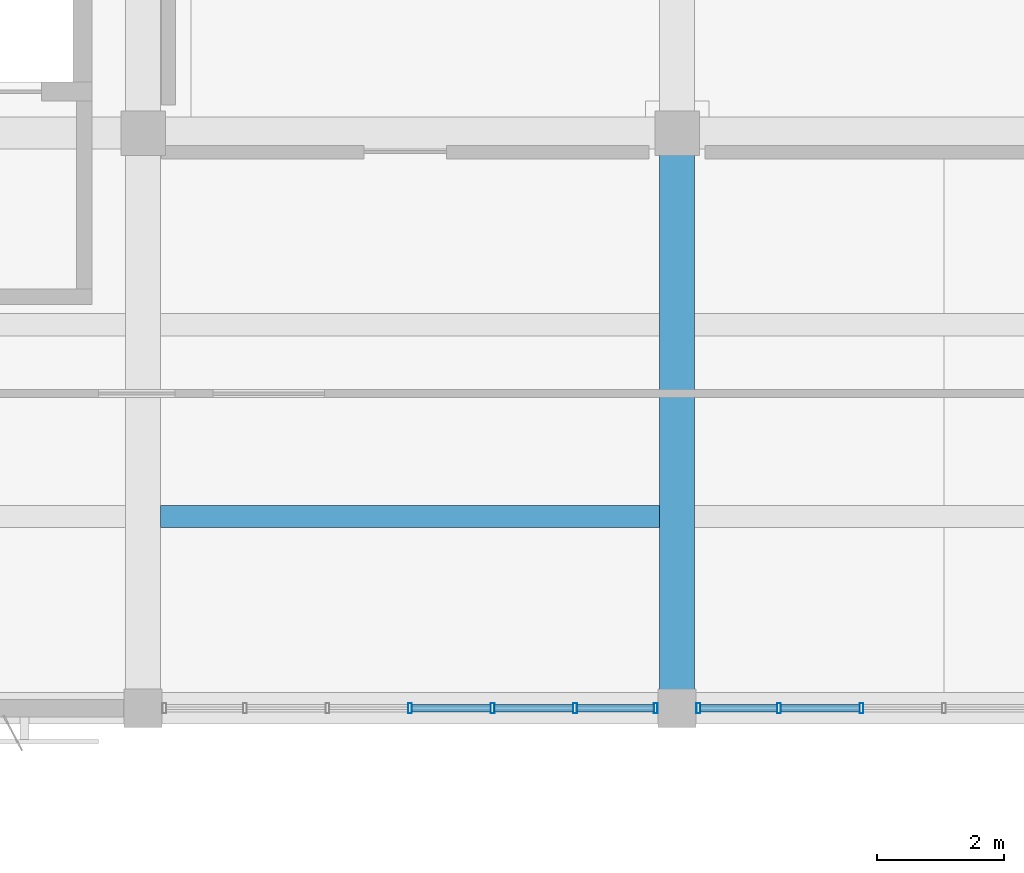
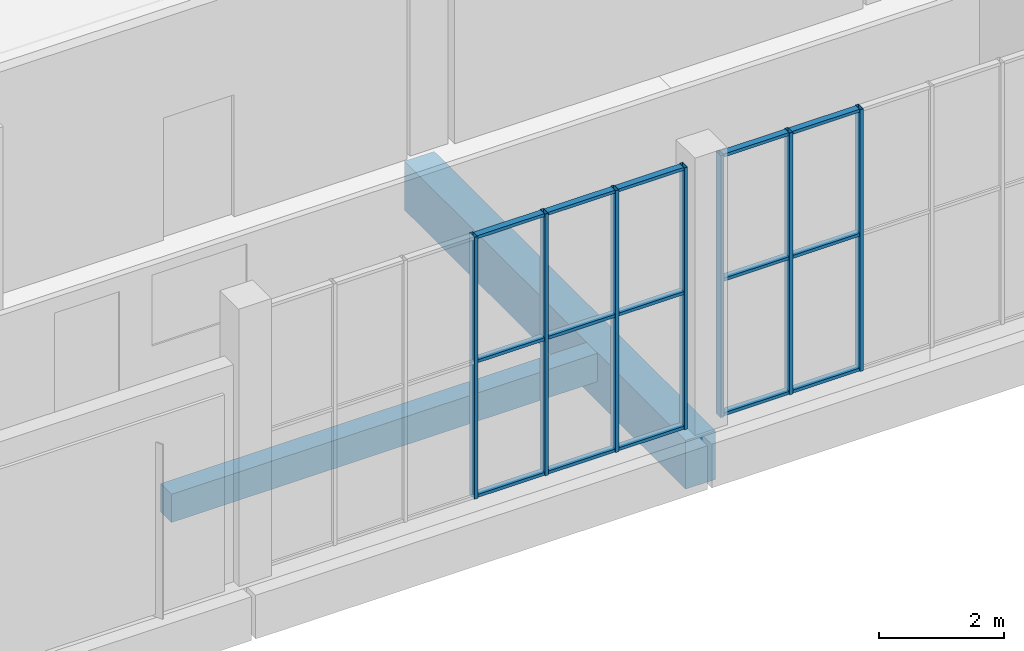
# One storey, part 72 of 132: 22 members, 2 beams, 2 elements without a shape of their own.
"""IFC4 building model written with IfcOpenShell, lengths in metres."""

from ifc_helpers import new_model, si_unit, direction, frame, origin, origin_2d, place, context, subcontext, project, spatial, rectangle, hollow_rectangle, extrude, material, material_profile, profile_set, type_object, element, aggregate, save


model = new_model("IFC4")

# Units and contexts
model_context = context("Model", 3, precision=1e-05, world=origin(), true_north=direction((0.0, 1.0)))
body_context = subcontext(model_context, "Body", "Model", "MODEL_VIEW")
ifc_project = project(units=[si_unit("LENGTHUNIT", "METRE"), si_unit("AREAUNIT", "SQUARE_METRE"), si_unit("VOLUMEUNIT", "CUBIC_METRE"), si_unit("PLANEANGLEUNIT", "RADIAN"), si_unit("MASSUNIT", "GRAM", prefix="KILO")], contexts=[model_context])

# Site, building, storey
site_placement = place(None, origin())
site = spatial("IfcSite", under=ifc_project, at=site_placement, CompositionType="ELEMENT")
building_placement = place(site_placement, origin())
building = spatial("IfcBuilding", under=site, at=building_placement, Name="Khurvash Pelagic Aquarium", CompositionType="ELEMENT")
storey_placement = place(building_placement, frame((0.0, 0.0, 5.39990234375)))
storey = spatial("IfcBuildingStorey", under=building, at=storey_placement, Name="L01", CompositionType="ELEMENT", Elevation=5.39990234375)

# Beam
ifc_material_1 = material(Name="Concrete C40/50", Category="concrete")
ifc_material_profile_1 = material_profile(ifc_material_1, rectangle(XDim=0.550048828125, YDim=0.949951171875, at=origin_2d()), Name="RC550X950")
ifc_profile_set_1 = profile_set([ifc_material_profile_1], Name="Concrete C40/50")
beam_type_1 = type_object("IfcBeamType", Name="BM-02", PredefinedType="BEAM", material=ifc_profile_set_1)
beam_1_placement = place(storey_placement, frame((84.0, 84.090087890625, -0.784912109375), z_axis=(0.0, 1.0, 0.0), x_axis=(-1.0, 0.0, 0.0)))
element("IfcBeam", 1, at=beam_1_placement, inside=storey, type_object=beam_type_1, Name="L01 Primary Girder BM-02 00405", PredefinedType="BEAM", context=body_context, shape_type="SweptSolid", body=[
    extrude(rectangle(XDim=0.550048828125, YDim=0.949951171875, at=origin_2d()), origin(), (0.0, 0.0, 1.0), 8.969970703125),
])

# Curtain wall, members
ifc_material_2 = material(Name="Anodised aluminium and low-E laminated glass", Category="aluminium")
curtain_wall_type = type_object("IfcCurtainWallType", Name="CW-05", PredefinedType="USERDEFINED", material=ifc_material_2)
curtain_wall_1_placement = place(storey_placement, origin())
curtain_wall_1 = element("IfcCurtainWall", 2, at=curtain_wall_1_placement, inside=storey, type_object=curtain_wall_type, Name="L01 Facade Unitised Curtain Wall CW-05 0138", ObjectType="UNITISED CURTAIN WALL", PredefinedType="USERDEFINED")
ifc_material_3 = material(Name="Extruded aluminium AW-6063-T6", Category="aluminium")
ifc_material_profile_2 = material_profile(ifc_material_3, hollow_rectangle(XDim=0.06005859375, YDim=0.159912109375, WallThickness=0.00390625, at=origin_2d()), Name="CWM60X160X4")
ifc_profile_set_2 = profile_set([ifc_material_profile_2], Name="Extruded aluminium AW-6063-T6")
member_type_1 = type_object("IfcMemberType", Name="CM-02", PredefinedType="MULLION", material=ifc_profile_set_2)
member_1_placement = place(storey_placement, frame((79.800048828125, 84.050048828125, 0.0), z_axis=(0.0, 0.0, 1.0), x_axis=(1.0, 0.0, 0.0)))
member_1 = element("IfcMember", 3, at=member_1_placement, type_object=member_type_1, Name="CW-05 mullion 4", PredefinedType="MULLION", context=body_context, shape_type="SweptSolid", body=[
    extrude(hollow_rectangle(XDim=0.06005859375, YDim=0.159912109375, WallThickness=0.00390625, at=origin_2d()), origin(), (0.0, 0.0, 1.0), 5.10009765625),
])
member_2_placement = place(storey_placement, frame((81.098388671875, 84.050048828125, 0.0), z_axis=(0.0, 0.0, 1.0), x_axis=(1.0, 0.0, 0.0)))
member_2 = element("IfcMember", 4, at=member_2_placement, type_object=member_type_1, Name="CW-05 mullion 5", PredefinedType="MULLION", context=body_context, shape_type="SweptSolid", body=[
    extrude(hollow_rectangle(XDim=0.06005859375, YDim=0.159912109375, WallThickness=0.00390625, at=origin_2d()), origin(), (0.0, 0.0, 1.0), 5.10009765625),
])
member_3_placement = place(storey_placement, frame((82.396728515625, 84.050048828125, 0.0), z_axis=(0.0, 0.0, 1.0), x_axis=(1.0, 0.0, 0.0)))
member_3 = element("IfcMember", 5, at=member_3_placement, type_object=member_type_1, Name="CW-05 mullion 6", PredefinedType="MULLION", context=body_context, shape_type="SweptSolid", body=[
    extrude(hollow_rectangle(XDim=0.06005859375, YDim=0.159912109375, WallThickness=0.00390625, at=origin_2d()), origin(), (0.0, 0.0, 1.0), 5.10009765625),
])
member_4_placement = place(storey_placement, frame((83.6650390625, 84.050048828125, 0.0), z_axis=(0.0, 0.0, 1.0), x_axis=(1.0, 0.0, 0.0)))
member_4 = element("IfcMember", 6, at=member_4_placement, type_object=member_type_1, Name="CW-05 mullion 7", PredefinedType="MULLION", context=body_context, shape_type="SweptSolid", body=[
    extrude(hollow_rectangle(XDim=0.06005859375, YDim=0.159912109375, WallThickness=0.00390625, at=origin_2d()), origin(), (0.0, 0.0, 1.0), 5.10009765625),
])

curtain_wall_2_placement = place(storey_placement, origin())
curtain_wall_2 = element("IfcCurtainWall", 7, at=curtain_wall_2_placement, inside=storey, type_object=curtain_wall_type, Name="L01 Facade Unitised Curtain Wall CW-05 0139", ObjectType="UNITISED CURTAIN WALL", PredefinedType="USERDEFINED")
member_5_placement = place(storey_placement, frame((84.3349609375, 84.050048828125, 0.0), z_axis=(0.0, 0.0, 1.0), x_axis=(1.0, 0.0, 0.0)))
member_5 = element("IfcMember", 8, at=member_5_placement, type_object=member_type_1, Name="CW-05 mullion 1", PredefinedType="MULLION", context=body_context, shape_type="SweptSolid", body=[
    extrude(hollow_rectangle(XDim=0.06005859375, YDim=0.159912109375, WallThickness=0.00390625, at=origin_2d()), origin(), (0.0, 0.0, 1.0), 5.10009765625),
])
member_6_placement = place(storey_placement, frame((85.603271484375, 84.050048828125, 0.0), z_axis=(0.0, 0.0, 1.0), x_axis=(1.0, 0.0, 0.0)))
member_6 = element("IfcMember", 9, at=member_6_placement, type_object=member_type_1, Name="CW-05 mullion 2", PredefinedType="MULLION", context=body_context, shape_type="SweptSolid", body=[
    extrude(hollow_rectangle(XDim=0.06005859375, YDim=0.159912109375, WallThickness=0.00390625, at=origin_2d()), origin(), (0.0, 0.0, 1.0), 5.10009765625),
])
member_7_placement = place(storey_placement, frame((86.901611328125, 84.050048828125, 0.0), z_axis=(0.0, 0.0, 1.0), x_axis=(1.0, 0.0, 0.0)))
member_7 = element("IfcMember", 10, at=member_7_placement, type_object=member_type_1, Name="CW-05 mullion 3", PredefinedType="MULLION", context=body_context, shape_type="SweptSolid", body=[
    extrude(hollow_rectangle(XDim=0.06005859375, YDim=0.159912109375, WallThickness=0.00390625, at=origin_2d()), origin(), (0.0, 0.0, 1.0), 5.10009765625),
])

# Member
ifc_material_profile_3 = material_profile(ifc_material_3, hollow_rectangle(XDim=0.1201171875, YDim=0.06005859375, WallThickness=0.00390625, at=origin_2d()), Name="CWT120X60X4")
ifc_profile_set_3 = profile_set([ifc_material_profile_3], Name="Extruded aluminium AW-6063-T6")
member_type_2 = type_object("IfcMemberType", Name="CT-02", PredefinedType="USERDEFINED", material=ifc_profile_set_3)
member_8_placement = place(storey_placement, frame((79.830078125, 84.050048828125, 0.030029296875), z_axis=(1.0, 0.0, 0.0), x_axis=(0.0, 1.0, 0.0)))
member_8 = element("IfcMember", 11, at=member_8_placement, type_object=member_type_2, Name="CW-05 transom 4.1", ObjectType="TRANSOM", PredefinedType="USERDEFINED", context=body_context, shape_type="SweptSolid", body=[
    extrude(hollow_rectangle(XDim=0.1201171875, YDim=0.06005859375, WallThickness=0.00390625, at=origin_2d()), origin(), (0.0, 0.0, 1.0), 1.23828125),
])

member_9_placement = place(storey_placement, frame((79.830078125, 84.050048828125, 2.652099609375), z_axis=(1.0, 0.0, 0.0), x_axis=(0.0, 1.0, 0.0)))
member_9 = element("IfcMember", 12, at=member_9_placement, type_object=member_type_2, Name="CW-05 transom 4.2", ObjectType="TRANSOM", PredefinedType="USERDEFINED", context=body_context, shape_type="SweptSolid", body=[
    extrude(hollow_rectangle(XDim=0.1201171875, YDim=0.06005859375, WallThickness=0.00390625, at=origin_2d()), origin(), (0.0, 0.0, 1.0), 1.23828125),
])

member_10_placement = place(storey_placement, frame((79.830078125, 84.050048828125, 5.070068359375), z_axis=(1.0, 0.0, 0.0), x_axis=(0.0, 1.0, 0.0)))
member_10 = element("IfcMember", 13, at=member_10_placement, type_object=member_type_2, Name="CW-05 transom 4.3", ObjectType="TRANSOM", PredefinedType="USERDEFINED", context=body_context, shape_type="SweptSolid", body=[
    extrude(hollow_rectangle(XDim=0.1201171875, YDim=0.06005859375, WallThickness=0.00390625, at=origin_2d()), origin(), (0.0, 0.0, 1.0), 1.23828125),
])

member_11_placement = place(storey_placement, frame((81.12841796875, 84.050048828125, 0.030029296875), z_axis=(1.0, 0.0, 0.0), x_axis=(0.0, 1.0, 0.0)))
member_11 = element("IfcMember", 14, at=member_11_placement, type_object=member_type_2, Name="CW-05 transom 5.1", ObjectType="TRANSOM", PredefinedType="USERDEFINED", context=body_context, shape_type="SweptSolid", body=[
    extrude(hollow_rectangle(XDim=0.1201171875, YDim=0.06005859375, WallThickness=0.00390625, at=origin_2d()), origin(), (0.0, 0.0, 1.0), 1.23828125),
])

member_12_placement = place(storey_placement, frame((81.12841796875, 84.050048828125, 2.652099609375), z_axis=(1.0, 0.0, 0.0), x_axis=(0.0, 1.0, 0.0)))
member_12 = element("IfcMember", 15, at=member_12_placement, type_object=member_type_2, Name="CW-05 transom 5.2", ObjectType="TRANSOM", PredefinedType="USERDEFINED", context=body_context, shape_type="SweptSolid", body=[
    extrude(hollow_rectangle(XDim=0.1201171875, YDim=0.06005859375, WallThickness=0.00390625, at=origin_2d()), origin(), (0.0, 0.0, 1.0), 1.23828125),
])

member_13_placement = place(storey_placement, frame((81.12841796875, 84.050048828125, 5.070068359375), z_axis=(1.0, 0.0, 0.0), x_axis=(0.0, 1.0, 0.0)))
member_13 = element("IfcMember", 16, at=member_13_placement, type_object=member_type_2, Name="CW-05 transom 5.3", ObjectType="TRANSOM", PredefinedType="USERDEFINED", context=body_context, shape_type="SweptSolid", body=[
    extrude(hollow_rectangle(XDim=0.1201171875, YDim=0.06005859375, WallThickness=0.00390625, at=origin_2d()), origin(), (0.0, 0.0, 1.0), 1.23828125),
])

member_14_placement = place(storey_placement, frame((82.4267578125, 84.050048828125, 0.030029296875), z_axis=(1.0, 0.0, 0.0), x_axis=(0.0, 1.0, 0.0)))
member_14 = element("IfcMember", 17, at=member_14_placement, type_object=member_type_2, Name="CW-05 transom 6.1", ObjectType="TRANSOM", PredefinedType="USERDEFINED", context=body_context, shape_type="SweptSolid", body=[
    extrude(hollow_rectangle(XDim=0.1201171875, YDim=0.06005859375, WallThickness=0.00390625, at=origin_2d()), origin(), (0.0, 0.0, 1.0), 1.208251953125),
])

member_15_placement = place(storey_placement, frame((82.4267578125, 84.050048828125, 2.652099609375), z_axis=(1.0, 0.0, 0.0), x_axis=(0.0, 1.0, 0.0)))
member_15 = element("IfcMember", 18, at=member_15_placement, type_object=member_type_2, Name="CW-05 transom 6.2", ObjectType="TRANSOM", PredefinedType="USERDEFINED", context=body_context, shape_type="SweptSolid", body=[
    extrude(hollow_rectangle(XDim=0.1201171875, YDim=0.06005859375, WallThickness=0.00390625, at=origin_2d()), origin(), (0.0, 0.0, 1.0), 1.208251953125),
])

member_16_placement = place(storey_placement, frame((82.4267578125, 84.050048828125, 5.070068359375), z_axis=(1.0, 0.0, 0.0), x_axis=(0.0, 1.0, 0.0)))
member_16 = element("IfcMember", 19, at=member_16_placement, type_object=member_type_2, Name="CW-05 transom 6.3", ObjectType="TRANSOM", PredefinedType="USERDEFINED", context=body_context, shape_type="SweptSolid", body=[
    extrude(hollow_rectangle(XDim=0.1201171875, YDim=0.06005859375, WallThickness=0.00390625, at=origin_2d()), origin(), (0.0, 0.0, 1.0), 1.208251953125),
])

aggregate(curtain_wall_1, [member_1, member_2, member_3, member_4, member_8, member_9, member_10, member_11, member_12, member_13, member_14, member_15, member_16])

member_17_placement = place(storey_placement, frame((84.364990234375, 84.050048828125, 0.030029296875), z_axis=(1.0, 0.0, 0.0), x_axis=(0.0, 1.0, 0.0)))
member_17 = element("IfcMember", 20, at=member_17_placement, type_object=member_type_2, Name="CW-05 transom 1.1", ObjectType="TRANSOM", PredefinedType="USERDEFINED", context=body_context, shape_type="SweptSolid", body=[
    extrude(hollow_rectangle(XDim=0.1201171875, YDim=0.06005859375, WallThickness=0.00390625, at=origin_2d()), origin(), (0.0, 0.0, 1.0), 1.208251953125),
])

member_18_placement = place(storey_placement, frame((84.364990234375, 84.050048828125, 2.652099609375), z_axis=(1.0, 0.0, 0.0), x_axis=(0.0, 1.0, 0.0)))
member_18 = element("IfcMember", 21, at=member_18_placement, type_object=member_type_2, Name="CW-05 transom 1.2", ObjectType="TRANSOM", PredefinedType="USERDEFINED", context=body_context, shape_type="SweptSolid", body=[
    extrude(hollow_rectangle(XDim=0.1201171875, YDim=0.06005859375, WallThickness=0.00390625, at=origin_2d()), origin(), (0.0, 0.0, 1.0), 1.208251953125),
])

member_19_placement = place(storey_placement, frame((84.364990234375, 84.050048828125, 5.070068359375), z_axis=(1.0, 0.0, 0.0), x_axis=(0.0, 1.0, 0.0)))
member_19 = element("IfcMember", 22, at=member_19_placement, type_object=member_type_2, Name="CW-05 transom 1.3", ObjectType="TRANSOM", PredefinedType="USERDEFINED", context=body_context, shape_type="SweptSolid", body=[
    extrude(hollow_rectangle(XDim=0.1201171875, YDim=0.06005859375, WallThickness=0.00390625, at=origin_2d()), origin(), (0.0, 0.0, 1.0), 1.208251953125),
])

member_20_placement = place(storey_placement, frame((85.63330078125, 84.050048828125, 0.030029296875), z_axis=(1.0, 0.0, 0.0), x_axis=(0.0, 1.0, 0.0)))
member_20 = element("IfcMember", 23, at=member_20_placement, type_object=member_type_2, Name="CW-05 transom 2.1", ObjectType="TRANSOM", PredefinedType="USERDEFINED", context=body_context, shape_type="SweptSolid", body=[
    extrude(hollow_rectangle(XDim=0.1201171875, YDim=0.06005859375, WallThickness=0.00390625, at=origin_2d()), origin(), (0.0, 0.0, 1.0), 1.23828125),
])

member_21_placement = place(storey_placement, frame((85.63330078125, 84.050048828125, 2.652099609375), z_axis=(1.0, 0.0, 0.0), x_axis=(0.0, 1.0, 0.0)))
member_21 = element("IfcMember", 24, at=member_21_placement, type_object=member_type_2, Name="CW-05 transom 2.2", ObjectType="TRANSOM", PredefinedType="USERDEFINED", context=body_context, shape_type="SweptSolid", body=[
    extrude(hollow_rectangle(XDim=0.1201171875, YDim=0.06005859375, WallThickness=0.00390625, at=origin_2d()), origin(), (0.0, 0.0, 1.0), 1.23828125),
])

member_22_placement = place(storey_placement, frame((85.63330078125, 84.050048828125, 5.070068359375), z_axis=(1.0, 0.0, 0.0), x_axis=(0.0, 1.0, 0.0)))
member_22 = element("IfcMember", 25, at=member_22_placement, type_object=member_type_2, Name="CW-05 transom 2.3", ObjectType="TRANSOM", PredefinedType="USERDEFINED", context=body_context, shape_type="SweptSolid", body=[
    extrude(hollow_rectangle(XDim=0.1201171875, YDim=0.06005859375, WallThickness=0.00390625, at=origin_2d()), origin(), (0.0, 0.0, 1.0), 1.23828125),
])

aggregate(curtain_wall_2, [member_5, member_6, member_7, member_17, member_18, member_19, member_20, member_21, member_22])

# Beam
ifc_material_4 = material(Name="Concrete C35/45", Category="concrete")
ifc_material_profile_4 = material_profile(ifc_material_4, rectangle(XDim=0.35009765625, YDim=0.550048828125, at=origin_2d()), Name="RC350X550")
ifc_profile_set_4 = profile_set([ifc_material_profile_4], Name="Concrete C35/45")
beam_type_2 = type_object("IfcBeamType", Name="JS-01", PredefinedType="JOIST", material=ifc_profile_set_4)
beam_2_placement = place(storey_placement, frame((75.875, 87.06689453125, -0.5849609375), z_axis=(1.0, 0.0, 0.0), x_axis=(0.0, 1.0, 0.0)))
element("IfcBeam", 26, at=beam_2_placement, inside=storey, type_object=beam_type_2, Name="L01 Floor Joist JS-01 00518", PredefinedType="JOIST", context=body_context, shape_type="SweptSolid", body=[
    extrude(rectangle(XDim=0.35009765625, YDim=0.550048828125, at=origin_2d()), origin(), (0.0, 0.0, 1.0), 7.85009765625),
])

save(model, "model.ifc")
